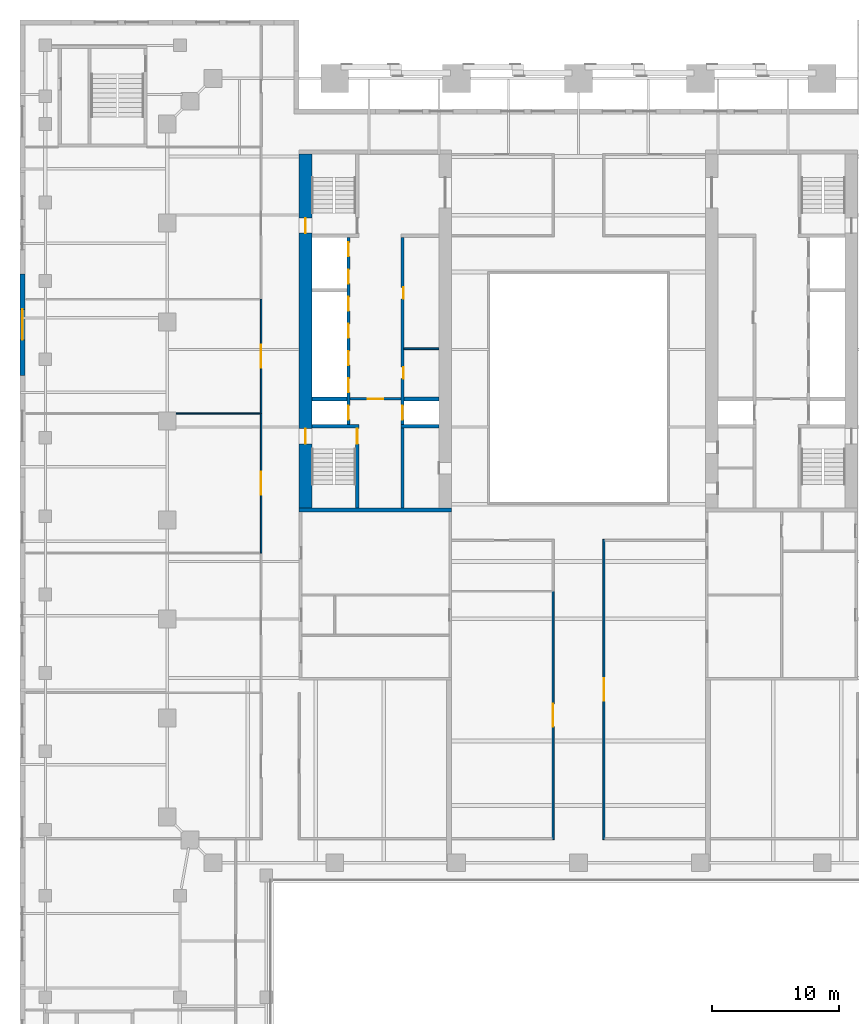
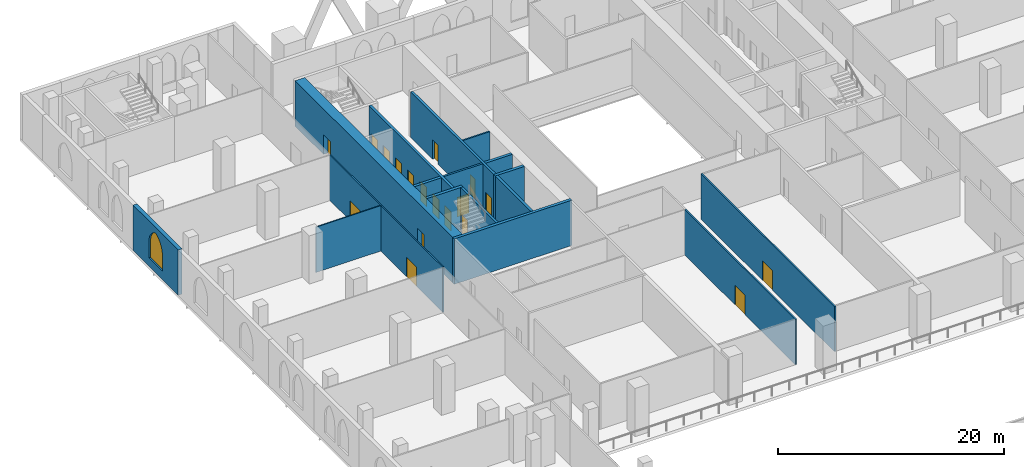
# One storey, part 11 of 22: 18 doors, 17 walls, 1 window, 19 openings.
"""IFC4 building model written with IfcOpenShell, lengths in metres."""

import ifcopenshell
import ifcopenshell.guid

model = None  # the IFC model being written
_history = None  # IfcOwnerHistory: only IFC2X3 demands one
_inside = {}  # id of a spatial element -> (the spatial element, [elements in it])
_under = {}  # id of a project, library or spatial element -> (it, [spatial elements below it])
_declared = {}  # id of a project -> (the project, [libraries it declares])
_typed = {}  # id of a type object -> (the type object, [elements of that type])
_made_of = {}  # id of a material, layer set ... -> (it, [elements and type objects made of it])


def new_model(schema):
    """Start an empty IFC model of exactly this schema.

    Asked for "IFC4X3", IfcOpenShell would pick the latest addendum, in which some entities
    have other attributes; the version numbers below select the first issue.
    IFC2X3 requires an IfcOwnerHistory on every rooted entity: one is made here for all.
    """
    global model, _history
    if schema == "IFC4X3":
        model = ifcopenshell.file(schema_version=(4, 3, 0, 0))
    else:
        model = ifcopenshell.file(schema=schema)
    _inside.clear()
    _under.clear()
    _declared.clear()
    _typed.clear()
    _made_of.clear()
    _history = None
    if model.schema == "IFC2X3":
        org = make("IfcOrganization", Name="unknown")
        user = make(
            "IfcPersonAndOrganization",
            ThePerson=make("IfcPerson", FamilyName="unknown"),
            TheOrganization=org,
        )
        app = make(
            "IfcApplication",
            ApplicationDeveloper=org,
            Version="unknown",
            ApplicationFullName="unknown",
            ApplicationIdentifier="unknown",
        )
        _history = make(
            "IfcOwnerHistory",
            OwningUser=user,
            OwningApplication=app,
            ChangeAction="ADDED",
            CreationDate=0,
        )
    return model


def make(cls, **values):
    """One entity of the class cls with the attributes given. An attribute that is None is left unset."""
    return model.create_entity(
        cls, **{name: value for name, value in values.items() if value is not None}
    )


def rooted(cls, **values):
    """An entity with a GlobalId (a new one), such as an element, a storey or a relation."""
    return make(cls, GlobalId=ifcopenshell.guid.new(), OwnerHistory=_history, **values)


def si_unit(unit_type, name, prefix=None):
    """IfcSIUnit, for example si_unit("LENGTHUNIT", "METRE", prefix="MILLI")."""
    return make("IfcSIUnit", UnitType=unit_type, Prefix=prefix, Name=name)


def assignment(units):
    """IfcUnitAssignment: the units of a project."""
    return None if units is None else make("IfcUnitAssignment", Units=units)


def point(xyz):
    """IfcCartesianPoint."""
    return None if xyz is None else make("IfcCartesianPoint", Coordinates=xyz)


def direction(xyz):
    """IfcDirection."""
    return None if xyz is None else make("IfcDirection", DirectionRatios=xyz)


def frame(location, z_axis=None, x_axis=None):
    """IfcAxis2Placement3D, a coordinate frame: its origin and axes. An axis left out is left unset."""
    return make(
        "IfcAxis2Placement3D",
        Location=point(location),
        Axis=direction(z_axis),
        RefDirection=direction(x_axis),
    )


def frame_2d(location, x_axis=None):
    """IfcAxis2Placement2D, a coordinate frame in the plane: its origin and x axis."""
    return make(
        "IfcAxis2Placement2D", Location=point(location), RefDirection=direction(x_axis)
    )


def origin():
    """The frame at (0, 0, 0) with its axes left unset."""
    return frame((0.0, 0.0, 0.0))


def place(relative_to, where):
    """IfcLocalPlacement: puts the frame where relative to a parent placement (None: the world)."""
    return make(
        "IfcLocalPlacement", PlacementRelTo=relative_to, RelativePlacement=where
    )


def context(
    kind, dimensions, precision=None, world=None, true_north=None, identifier=None
):
    """IfcGeometricRepresentationContext, for example the 3D "Model" context."""
    return make(
        "IfcGeometricRepresentationContext",
        ContextIdentifier=identifier,
        ContextType=kind,
        CoordinateSpaceDimension=dimensions,
        Precision=precision,
        WorldCoordinateSystem=world,
        TrueNorth=true_north,
    )


def subcontext(parent, identifier, kind, view, scale=None):
    """IfcGeometricRepresentationSubContext, for example "Body" below "Model"."""
    return make(
        "IfcGeometricRepresentationSubContext",
        ContextIdentifier=identifier,
        ContextType=kind,
        ParentContext=parent,
        TargetScale=scale,
        TargetView=view,
    )


def project(units=None, contexts=None):
    """IfcProject with its units and contexts."""
    return rooted(
        "IfcProject",
        Name="project",
        RepresentationContexts=contexts,
        UnitsInContext=assignment(units),
    )


def spatial(cls, under=None, at=None, **own):
    """A site, building, storey or space (cls), placed at a placement, below another one or the project."""
    s = rooted(cls, ObjectPlacement=at, **own)
    if under is not None:
        _under.setdefault(under.id(), (under, []))[1].append(s)
    return s


def polyline(points):
    """IfcPolyline through the points."""
    return make("IfcPolyline", Points=[point(p) for p in points])


def profile(cls, at=None, kind="AREA", **sizes):
    """A parametric profile (cls). Its sizes go by their IFC names, for example OverallWidth=200.0."""
    return make(cls, ProfileType=kind, Position=at, **sizes)


def rectangle(**sizes):
    """IfcRectangleProfileDef."""
    return profile("IfcRectangleProfileDef", **sizes)


def outline(outer, holes=None, kind="AREA"):
    """IfcArbitraryClosedProfileDef: a profile drawn as a closed curve; with holes, ...WithVoids."""
    if holes is None:
        return make("IfcArbitraryClosedProfileDef", ProfileType=kind, OuterCurve=outer)
    return make(
        "IfcArbitraryProfileDefWithVoids",
        ProfileType=kind,
        OuterCurve=outer,
        InnerCurves=holes,
    )


def extrude(swept, where, along, depth):
    """IfcExtrudedAreaSolid: the profile swept, set in the frame where, extruded along a direction by depth."""
    return make(
        "IfcExtrudedAreaSolid",
        SweptArea=swept,
        Position=where,
        ExtrudedDirection=direction(along),
        Depth=depth,
    )


def shape(context_of_items, identifier, shape_type, items):
    """IfcShapeRepresentation: the items that make up one representation, for example the "Body"."""
    return make(
        "IfcShapeRepresentation",
        ContextOfItems=context_of_items,
        RepresentationIdentifier=identifier,
        RepresentationType=shape_type,
        Items=items,
    )


def material(Name=None, Category=None):
    """IfcMaterial."""
    return make("IfcMaterial", Name=Name, Category=Category)


def layer(
    of_material, thickness, ventilated=None, Name=None, Category=None, Priority=None
):
    """IfcMaterialLayer: one layer of a wall or slab, of a material (None: an air gap)."""
    return make(
        "IfcMaterialLayer",
        Material=of_material,
        LayerThickness=thickness,
        IsVentilated=ventilated,
        Name=Name,
        Category=Category,
        Priority=Priority,
    )


def layer_set(layers, Name=None):
    """IfcMaterialLayerSet."""
    return make("IfcMaterialLayerSet", MaterialLayers=layers, LayerSetName=Name)


def made_of(thing, what):
    """Note that an element or type object is made of a material, layer set ...; save() writes the relation."""
    if what is not None:
        _made_of.setdefault(what.id(), (what, []))[1].append(thing)
    return thing


def type_object(cls, material=None, **own):
    """A type object (cls), such as IfcWallType, which elements share."""
    return made_of(rooted(cls, **own), material)


def element(
    cls,
    number,
    at=None,
    inside=None,
    cuts=None,
    type_object=None,
    material=None,
    context=None,
    identifier="Body",
    shape_type=None,
    held_by="IfcProductDefinitionShape",
    body=None,
    shapes=None,
    **own,
):
    """One element of the class cls, such as IfcWall. Its Tag is "e" and its number.

    at: its placement. inside: the storey or other place that contains it. cuts: it is an
    opening in that element (IfcRelVoidsElement). A single representation is given by context,
    identifier, shape_type and body (its items); several are given by shapes. held_by: the class
    of the entity that holds the representations. save() writes the other relations.
    """
    e = rooted(cls, Tag="e%d" % number, ObjectPlacement=at, **own)
    if body is not None:
        shapes = [shape(context, identifier, shape_type, body)]
    if shapes is not None:
        e.Representation = make(held_by, Representations=shapes)
    if inside is not None:
        _inside.setdefault(inside.id(), (inside, []))[1].append(e)
    if cuts is not None:
        rooted(
            "IfcRelVoidsElement", RelatingBuildingElement=cuts, RelatedOpeningElement=e
        )
    if type_object is not None:
        _typed.setdefault(type_object.id(), (type_object, []))[1].append(e)
    return made_of(e, material)


def fill(opening, filler):
    """IfcRelFillsElement: the door or window that sits in an opening."""
    return rooted(
        "IfcRelFillsElement",
        RelatingOpeningElement=opening,
        RelatedBuildingElement=filler,
    )


def aggregate(whole, parts):
    """IfcRelAggregates: a whole, such as a stair, and the parts it consists of."""
    return rooted("IfcRelAggregates", RelatingObject=whole, RelatedObjects=parts)


def save(model, path):
    """Write the relations noted so far, then the file.

    IfcRelAggregates (storeys below a building ...), IfcRelContainedInSpatialStructure (elements
    in a storey), IfcRelDefinesByType, IfcRelAssociatesMaterial and IfcRelDeclares: one each for
    every whole, place, type object, material and project.
    """
    for whole, parts in _under.values():
        aggregate(whole, parts)
    for where, things in _inside.values():
        rooted(
            "IfcRelContainedInSpatialStructure",
            RelatedElements=things,
            RelatingStructure=where,
        )
    for kind, things in _typed.values():
        rooted("IfcRelDefinesByType", RelatedObjects=things, RelatingType=kind)
    for what, things in _made_of.values():
        rooted("IfcRelAssociatesMaterial", RelatedObjects=things, RelatingMaterial=what)
    for by, libraries in _declared.values():
        rooted("IfcRelDeclares", RelatingContext=by, RelatedDefinitions=libraries)
    model.write(path)


model = new_model("IFC4")

# Units and contexts
model_context = context("Model", 3, precision=1e-05, world=origin(), true_north=direction((0.0, 1.0)))
body_context = subcontext(model_context, "Body", "Model", "MODEL_VIEW")
ifc_project = project(units=[si_unit("LENGTHUNIT", "METRE"), si_unit("AREAUNIT", "SQUARE_METRE"), si_unit("VOLUMEUNIT", "CUBIC_METRE"), si_unit("PLANEANGLEUNIT", "RADIAN"), si_unit("MASSUNIT", "GRAM", prefix="KILO")], contexts=[model_context])

# Site, building, storey
site_placement = place(None, origin())
site = spatial("IfcSite", under=ifc_project, at=site_placement, CompositionType="ELEMENT")
building_placement = place(site_placement, origin())
building = spatial("IfcBuilding", under=site, at=building_placement, Name="Ogive Exchange Tower", CompositionType="ELEMENT")
storey_placement = place(building_placement, frame((0.0, 0.0, 14.0)))
storey = spatial("IfcBuildingStorey", under=building, at=storey_placement, Name="L02", CompositionType="ELEMENT", Elevation=14.0)

# Wall
ifc_material_1 = material(Name="Gypsum board partition")
ifc_layer_1 = layer(ifc_material_1, 0.14990234375)
ifc_layer_set_1 = layer_set([ifc_layer_1], Name="Core room partition 150 gypsum")
wall_type_1 = type_object("IfcWallType", Name="Core room partition 150 gypsum", PredefinedType="PARTITIONING", material=ifc_layer_set_1)
wall_1_placement = place(storey_placement, frame((-13.75, 10.10009765625, 0.0), z_axis=(0.0, 0.0, 1.0), x_axis=(1.0, 0.0, 0.0)))
element("IfcWall", 1, at=wall_1_placement, inside=storey, type_object=wall_type_1, Name="W row B bay partition 1-1", PredefinedType="PARTITIONING", context=body_context, shape_type="SweptSolid", body=[
    extrude(rectangle(XDim=2.75, YDim=0.14990234375, at=frame_2d((1.375, 0.0))), origin(), (0.0, 0.0, 1.0), 4.89990234375),
])

# Wall, opening, door
ifc_material_2 = material(Name="Fire partition EI 60 150")
ifc_layer_2 = layer(ifc_material_2, 0.14990234375)
ifc_layer_set_2 = layer_set([ifc_layer_2], Name="Fire partition EI 60 150")
wall_type_2 = type_object("IfcWallType", Name="Fire partition EI 60 150", PredefinedType="PARTITIONING", material=ifc_layer_set_2)
wall_2_placement = place(storey_placement, frame((-2.0, -28.574951171875, 0.0), z_axis=(0.0, 0.0, 1.0), x_axis=(0.0, 1.0, 0.0)))
wall_2 = element("IfcWall", 2, at=wall_2_placement, inside=storey, type_object=wall_type_2, Name="L02-PWL-048", PredefinedType="PARTITIONING", context=body_context, shape_type="SweptSolid", body=[
    extrude(rectangle(XDim=19.574951171875, YDim=0.14990234375, at=frame_2d((9.78759765625, 0.0))), origin(), (0.0, 0.0, 1.0), 4.89990234375),
])
opening_1_placement = place(wall_2_placement, frame((8.887451171875, 0.0, 0.0)))
opening_1 = element("IfcOpeningElement", 3, at=opening_1_placement, cuts=wall_2, Name="Opening L02-I20", PredefinedType="OPENING", context=body_context, shape_type="SweptSolid", body=[
    extrude(rectangle(XDim=1.800048828125, YDim=2.10009765625, at=frame_2d((0.89990234375, 1.050048828125))), frame((0.0, 0.0849609375, 0.0), z_axis=(0.0, -1.0, 0.0), x_axis=(1.0, 0.0, 0.0)), (0.0, 0.0, 1.0), 0.169921875),
])
ifc_material_3 = material(Name="Fire door FD 30S 1800 x 2100")
door_type_1 = type_object("IfcDoorType", Name="Fire door FD 30S 1800 x 2100", OperationType="DOUBLE_DOOR_SINGLE_SWING", PredefinedType="DOOR", material=ifc_material_3)
door_1_placement = place(opening_1_placement, frame((1.800048828125, 0.0, 0.0), z_axis=(0.0, 0.0, 1.0), x_axis=(-1.0, 0.0, 0.0)))
door_1 = element("IfcDoor", 4, at=door_1_placement, inside=storey, type_object=door_type_1, Name="L02-IDR-020", ObjectType="DT4", OperationType="SINGLE_SWING_RIGHT", OverallHeight=2.10009765625, OverallWidth=1.800048828125, PredefinedType="DOOR", context=body_context, shape_type="SweptSolid", body=[
    extrude(rectangle(XDim=1.800048828125, YDim=2.10009765625, at=frame_2d((0.89990234375, 1.050048828125))), frame((0.0, 0.02490234375, 0.0), z_axis=(0.0, -1.0, 0.0), x_axis=(1.0, 0.0, 0.0)), (0.0, 0.0, 1.0), 0.050048828125),
])
fill(opening_1, door_1)

wall_3_placement = place(storey_placement, frame((2.0, -28.574951171875, 0.0), z_axis=(0.0, 0.0, 1.0), x_axis=(0.0, 1.0, 0.0)))
wall_3 = element("IfcWall", 5, at=wall_3_placement, inside=storey, type_object=wall_type_2, Name="L02-PWL-051", PredefinedType="PARTITIONING", context=body_context, shape_type="SweptSolid", body=[
    extrude(rectangle(XDim=23.64990234375, YDim=0.14990234375, at=frame_2d((11.824951171875, 0.0))), origin(), (0.0, 0.0, 1.0), 4.89990234375),
])
opening_2_placement = place(wall_3_placement, frame((10.925048828125, 0.0, 0.0)))
opening_2 = element("IfcOpeningElement", 6, at=opening_2_placement, cuts=wall_3, Name="Opening L02-I22", PredefinedType="OPENING", context=body_context, shape_type="SweptSolid", body=[
    extrude(rectangle(XDim=1.800048828125, YDim=2.10009765625, at=frame_2d((0.89990234375, 1.050048828125))), frame((0.0, 0.0849609375, 0.0), z_axis=(0.0, -1.0, 0.0), x_axis=(1.0, 0.0, 0.0)), (0.0, 0.0, 1.0), 0.169921875),
])
door_2_placement = place(opening_2_placement, origin())
door_2 = element("IfcDoor", 7, at=door_2_placement, inside=storey, type_object=door_type_1, Name="L02-IDR-022", ObjectType="DT4", OperationType="SINGLE_SWING_LEFT", OverallHeight=2.10009765625, OverallWidth=1.800048828125, PredefinedType="DOOR", context=body_context, shape_type="SweptSolid", body=[
    extrude(rectangle(XDim=1.800048828125, YDim=2.10009765625, at=frame_2d((0.89990234375, 1.050048828125))), frame((0.0, 0.02490234375, 0.0), z_axis=(0.0, -1.0, 0.0), x_axis=(1.0, 0.0, 0.0)), (0.0, 0.0, 1.0), 0.050048828125),
])
fill(opening_2, door_2)

ifc_material_4 = material(Name="Glazed fire partition EI 60 120")
ifc_layer_3 = layer(ifc_material_4, 0.1201171875)
ifc_layer_set_3 = layer_set([ifc_layer_3], Name="Glazed fire partition EI 60 120")
wall_type_3 = type_object("IfcWallType", Name="Glazed fire partition EI 60 120", PredefinedType="PARTITIONING", material=ifc_layer_set_3)
wall_4_placement = place(storey_placement, frame((-25.0, -6.0, 0.0), z_axis=(0.0, 0.0, 1.0), x_axis=(0.0, 1.0, 0.0)))
wall_4 = element("IfcWall", 8, at=wall_4_placement, inside=storey, type_object=wall_type_3, Name="L02-PWL-043", PredefinedType="PARTITIONING", context=body_context, shape_type="SweptSolid", body=[
    extrude(rectangle(XDim=11.0, YDim=0.1201171875, at=frame_2d((5.5, 0.0))), origin(), (0.0, 0.0, 1.0), 4.89990234375),
])
opening_3_placement = place(wall_4_placement, frame((4.60009765625, 0.0, 0.0)))
opening_3 = element("IfcOpeningElement", 9, at=opening_3_placement, cuts=wall_4, Name="Opening L02-I05", PredefinedType="OPENING", context=body_context, shape_type="SweptSolid", body=[
    extrude(rectangle(XDim=1.800048828125, YDim=2.10009765625, at=frame_2d((0.89990234375, 1.050048828125))), frame((0.0, 0.070068359375, 0.0), z_axis=(0.0, -1.0, 0.0), x_axis=(1.0, 0.0, 0.0)), (0.0, 0.0, 1.0), 0.14013671875),
])
door_3_placement = place(opening_3_placement, origin())
door_3 = element("IfcDoor", 10, at=door_3_placement, inside=storey, type_object=door_type_1, Name="L02-IDR-005", ObjectType="DT4", OperationType="SINGLE_SWING_RIGHT", OverallHeight=2.10009765625, OverallWidth=1.800048828125, PredefinedType="DOOR", context=body_context, shape_type="SweptSolid", body=[
    extrude(rectangle(XDim=1.800048828125, YDim=2.10009765625, at=frame_2d((0.89990234375, 1.050048828125))), frame((0.0, 0.02490234375, 0.0), z_axis=(0.0, -1.0, 0.0), x_axis=(1.0, 0.0, 0.0)), (0.0, 0.0, 1.0), 0.050048828125),
])
fill(opening_3, door_3)

wall_5_placement = place(storey_placement, frame((-25.0, 5.0, 0.0), z_axis=(0.0, 0.0, 1.0), x_axis=(0.0, 1.0, 0.0)))
wall_5 = element("IfcWall", 11, at=wall_5_placement, inside=storey, type_object=wall_type_3, Name="L02-PWL-044", PredefinedType="PARTITIONING", context=body_context, shape_type="SweptSolid", body=[
    extrude(rectangle(XDim=9.0, YDim=0.1201171875, at=frame_2d((4.5, 0.0))), origin(), (0.0, 0.0, 1.0), 4.89990234375),
])
opening_4_placement = place(wall_5_placement, frame((3.60009765625, 0.0, 0.0)))
opening_4 = element("IfcOpeningElement", 12, at=opening_4_placement, cuts=wall_5, Name="Opening L02-I06", PredefinedType="OPENING", context=body_context, shape_type="SweptSolid", body=[
    extrude(rectangle(XDim=1.800048828125, YDim=2.10009765625, at=frame_2d((0.89990234375, 1.050048828125))), frame((0.0, 0.070068359375, 0.0), z_axis=(0.0, -1.0, 0.0), x_axis=(1.0, 0.0, 0.0)), (0.0, 0.0, 1.0), 0.14013671875),
])
door_4_placement = place(opening_4_placement, origin())
door_4 = element("IfcDoor", 13, at=door_4_placement, inside=storey, type_object=door_type_1, Name="L02-IDR-006", ObjectType="DT4", OperationType="SINGLE_SWING_RIGHT", OverallHeight=2.10009765625, OverallWidth=1.800048828125, PredefinedType="DOOR", context=body_context, shape_type="SweptSolid", body=[
    extrude(rectangle(XDim=1.800048828125, YDim=2.10009765625, at=frame_2d((0.89990234375, 1.050048828125))), frame((0.0, 0.02490234375, 0.0), z_axis=(0.0, -1.0, 0.0), x_axis=(1.0, 0.0, 0.0)), (0.0, 0.0, 1.0), 0.050048828125),
])
fill(opening_4, door_4)

# Wall, opening, window
ifc_material_5 = material(Name="Precast concrete C40/50", Category="concrete")
ifc_layer_4 = layer(ifc_material_5, 0.39990234375)
ifc_layer_set_4 = layer_set([ifc_layer_4], Name="Limestone-faced wall 400")
wall_type_4 = type_object("IfcWallType", Name="Limestone-faced wall 400", PredefinedType="STANDARD", material=ifc_layer_set_4)
wall_6_placement = place(storey_placement, frame((-43.800048828125, 16.0, 0.0), z_axis=(0.0, 0.0, 1.0), x_axis=(0.0, -1.0, 0.0)))
wall_6 = element("IfcWall", 14, at=wall_6_placement, inside=storey, type_object=wall_type_4, Name="Podium wall W4", PredefinedType="STANDARD", context=body_context, shape_type="SweptSolid", body=[
    extrude(rectangle(XDim=8.0, YDim=0.39990234375, at=frame_2d((4.0, 0.0))), origin(), (0.0, 0.0, 1.0), 4.89990234375),
])
opening_5_placement = place(wall_6_placement, frame((2.800048828125, 0.0, 0.89990234375)))
opening_5 = element("IfcOpeningElement", 15, at=opening_5_placement, cuts=wall_6, Name="Opening WP340", PredefinedType="OPENING", context=body_context, shape_type="SweptSolid", body=[
    extrude(outline(polyline([(0.0, 0.0), (2.39990234375, 0.0), (2.39990234375, 1.699951171875), (2.378662109375, 1.97607421875), (2.3154296875, 2.24560546875), (2.211669921875, 2.50244140625), (2.069580078125, 2.740234375), (1.89306640625, 2.95361328125), (1.685791015625, 3.137451171875), (1.453125, 3.287353515625), (1.199951171875, 3.39990234375), (0.94677734375, 3.287353515625), (0.714111328125, 3.137451171875), (0.5068359375, 2.95361328125), (0.330322265625, 2.740234375), (0.188232421875, 2.50244140625), (0.08447265625, 2.24560546875), (0.021240234375, 1.97607421875), (0.0, 1.699951171875), (0.0, 0.0)])), frame((0.0, 0.2099609375, 0.0), z_axis=(0.0, -1.0, 0.0), x_axis=(1.0, 0.0, 0.0)), (0.0, 0.0, 1.0), 0.419921875),
])
ifc_material_6 = material(Name="Clear glass in bronze frame", Category="glass")
window_type = type_object("IfcWindowType", Name="Podium lancet window 2400 x 3400", PartitioningType="DOUBLE_PANEL_VERTICAL", PredefinedType="WINDOW", material=ifc_material_6)
window_placement = place(opening_5_placement, origin())
window = element("IfcWindow", 16, at=window_placement, inside=storey, type_object=window_type, Name="Podium window W4", OverallHeight=3.39990234375, OverallWidth=2.39990234375, PartitioningType="DOUBLE_PANEL_VERTICAL", PredefinedType="WINDOW", context=body_context, shape_type="SweptSolid", body=[
    extrude(outline(polyline([(0.0, 0.0), (2.39990234375, 0.0), (2.39990234375, 1.699951171875), (2.378662109375, 1.97607421875), (2.3154296875, 2.24560546875), (2.211669921875, 2.50244140625), (2.069580078125, 2.740234375), (1.89306640625, 2.95361328125), (1.685791015625, 3.137451171875), (1.453125, 3.287353515625), (1.199951171875, 3.39990234375), (0.94677734375, 3.287353515625), (0.714111328125, 3.137451171875), (0.5068359375, 2.95361328125), (0.330322265625, 2.740234375), (0.188232421875, 2.50244140625), (0.08447265625, 2.24560546875), (0.021240234375, 1.97607421875), (0.0, 1.699951171875), (0.0, 0.0)])), frame((0.0, 0.030029296875, 0.0), z_axis=(0.0, -1.0, 0.0), x_axis=(1.0, 0.0, 0.0)), (0.0, 0.0, 1.0), 0.06005859375),
])
fill(opening_5, window)

# Wall
ifc_material_7 = material(Name="Partition 100 gypsum")
ifc_layer_5 = layer(ifc_material_7, 0.10009765625)
ifc_layer_set_5 = layer_set([ifc_layer_5], Name="Partition 100 gypsum")
wall_type_5 = type_object("IfcWallType", Name="Partition 100 gypsum", PredefinedType="PARTITIONING", material=ifc_layer_set_5)
wall_7_placement = place(storey_placement, frame((-31.699951171875, 5.0, 0.0), z_axis=(0.0, 0.0, 1.0), x_axis=(1.0, 0.0, 0.0)))
element("IfcWall", 17, at=wall_7_placement, inside=storey, type_object=wall_type_5, Name="L02-PWL-025", PredefinedType="PARTITIONING", context=body_context, shape_type="SweptSolid", body=[
    extrude(rectangle(XDim=6.639892578125, YDim=0.10009765625, at=frame_2d((3.31982421875, 0.0))), origin(), (0.0, 0.0, 1.0), 4.89990234375),
])

# Wall, openings, doors
ifc_material_8 = material(Name="Concrete C70/85", Category="concrete")
ifc_layer_6 = layer(ifc_material_8, 1.0)
ifc_layer_set_6 = layer_set([ifc_layer_6], Name="RC core wall 1000 C70/85")
wall_type_6 = type_object("IfcWallType", Name="RC core wall 1000 C70/85", PredefinedType="SHEAR", material=ifc_layer_set_6)
wall_8_placement = place(storey_placement, frame((-21.5, -2.449951171875, 0.0), z_axis=(0.0, 0.0, 1.0), x_axis=(0.0, 1.0, 0.0)))
wall_8 = element("IfcWall", 18, at=wall_8_placement, inside=storey, type_object=wall_type_6, Name="W outer wall", PredefinedType="SHEAR", context=body_context, shape_type="SweptSolid", body=[
    extrude(rectangle(XDim=27.89990234375, YDim=1.0, at=frame_2d((13.949951171875, 0.0))), origin(), (0.0, 0.0, 1.0), 4.89990234375),
])
opening_6_placement = place(wall_8_placement, frame((5.050048828125, 0.0, 0.0)))
opening_6 = element("IfcOpeningElement", 19, at=opening_6_placement, cuts=wall_8, Name="Opening L02-C14", PredefinedType="OPENING", context=body_context, shape_type="SweptSolid", body=[
    extrude(rectangle(XDim=1.199951171875, YDim=2.10009765625, at=frame_2d((0.60009765625, 1.050048828125))), frame((0.0, 0.510009765625, 0.0), z_axis=(0.0, -1.0, 0.0), x_axis=(1.0, 0.0, 0.0)), (0.0, 0.0, 1.0), 1.02001953125),
])
opening_7_placement = place(wall_8_placement, frame((21.64990234375, 0.0, 0.0)))
opening_7 = element("IfcOpeningElement", 20, at=opening_7_placement, cuts=wall_8, Name="Opening L02-C16", PredefinedType="OPENING", context=body_context, shape_type="SweptSolid", body=[
    extrude(rectangle(XDim=1.199951171875, YDim=2.10009765625, at=frame_2d((0.60009765625, 1.050048828125))), frame((0.0, 0.510009765625, 0.0), z_axis=(0.0, -1.0, 0.0), x_axis=(1.0, 0.0, 0.0)), (0.0, 0.0, 1.0), 1.02001953125),
])
ifc_material_9 = material(Name="Steel fire door", Category="steel")
door_type_2 = type_object("IfcDoorType", Name="Stair door FD90 1200 x 2100", OperationType="NOTDEFINED", PredefinedType="DOOR", material=ifc_material_9)
door_5_placement = place(opening_6_placement, frame((1.199951171875, 0.0, 0.0), z_axis=(0.0, 0.0, 1.0), x_axis=(-1.0, 0.0, 0.0)))
door_5 = element("IfcDoor", 21, at=door_5_placement, inside=storey, type_object=door_type_2, Name="Stair door", ObjectType="CD5", OperationType="SINGLE_SWING_RIGHT", OverallHeight=2.10009765625, OverallWidth=1.199951171875, PredefinedType="DOOR", context=body_context, shape_type="SweptSolid", body=[
    extrude(rectangle(XDim=1.199951171875, YDim=2.10009765625, at=frame_2d((0.60009765625, 1.050048828125))), frame((0.0, 0.02490234375, 0.0), z_axis=(0.0, -1.0, 0.0), x_axis=(1.0, 0.0, 0.0)), (0.0, 0.0, 1.0), 0.050048828125),
])
fill(opening_6, door_5)
door_6_placement = place(opening_7_placement, frame((1.199951171875, 0.0, 0.0), z_axis=(0.0, 0.0, 1.0), x_axis=(-1.0, 0.0, 0.0)))
door_6 = element("IfcDoor", 22, at=door_6_placement, inside=storey, type_object=door_type_2, Name="Stair door", ObjectType="CD5", OperationType="SINGLE_SWING_LEFT", OverallHeight=2.10009765625, OverallWidth=1.199951171875, PredefinedType="DOOR", context=body_context, shape_type="SweptSolid", body=[
    extrude(rectangle(XDim=1.199951171875, YDim=2.10009765625, at=frame_2d((0.60009765625, 1.050048828125))), frame((0.0, 0.02490234375, 0.0), z_axis=(0.0, -1.0, 0.0), x_axis=(1.0, 0.0, 0.0)), (0.0, 0.0, 1.0), 0.050048828125),
])
fill(opening_7, door_6)

# Wall, opening, door
ifc_layer_7 = layer(ifc_material_8, 0.199951171875)
ifc_layer_set_7 = layer_set([ifc_layer_7], Name="RC core wall 200 C70/85")
wall_type_7 = type_object("IfcWallType", Name="RC core wall 200 C70/85", PredefinedType="SHEAR", material=ifc_layer_set_7)
wall_9_placement = place(storey_placement, frame((-18.0, 6.142822265625, 0.0), z_axis=(0.0, 0.0, 1.0), x_axis=(1.0, 0.0, 0.0)))
wall_9 = element("IfcWall", 23, at=wall_9_placement, inside=storey, type_object=wall_type_7, Name="W firefighting lobby wall", PredefinedType="SHEAR", context=body_context, shape_type="SweptSolid", body=[
    extrude(rectangle(XDim=4.0, YDim=0.199951171875, at=frame_2d((2.0, 0.0))), origin(), (0.0, 0.0, 1.0), 4.89990234375),
])
opening_8_placement = place(wall_9_placement, frame((1.39990234375, 0.0, 0.0)))
opening_8 = element("IfcOpeningElement", 24, at=opening_8_placement, cuts=wall_9, Name="Opening L02-C11", PredefinedType="OPENING", context=body_context, shape_type="SweptSolid", body=[
    extrude(rectangle(XDim=1.199951171875, YDim=2.10009765625, at=frame_2d((0.60009765625, 1.050048828125))), frame((0.0, 0.10986328125, 0.0), z_axis=(0.0, -1.0, 0.0), x_axis=(1.0, 0.0, 0.0)), (0.0, 0.0, 1.0), 0.219970703125),
])
door_type_3 = type_object("IfcDoorType", Name="Firefighting lobby door FD60 1200 x 2100", OperationType="NOTDEFINED", PredefinedType="DOOR", material=ifc_material_9)
door_7_placement = place(opening_8_placement, frame((1.199951171875, 0.0, 0.0), z_axis=(0.0, 0.0, 1.0), x_axis=(-1.0, 0.0, 0.0)))
door_7 = element("IfcDoor", 25, at=door_7_placement, inside=storey, type_object=door_type_3, Name="Firefighting lobby door", ObjectType="CD3", OperationType="SINGLE_SWING_LEFT", OverallHeight=2.10009765625, OverallWidth=1.199951171875, PredefinedType="DOOR", context=body_context, shape_type="SweptSolid", body=[
    extrude(rectangle(XDim=1.199951171875, YDim=2.10009765625, at=frame_2d((0.60009765625, 1.050048828125))), frame((0.0, 0.02490234375, 0.0), z_axis=(0.0, -1.0, 0.0), x_axis=(1.0, 0.0, 0.0)), (0.0, 0.0, 1.0), 0.050048828125),
])
fill(opening_8, door_7)

ifc_layer_8 = layer(ifc_material_8, 0.25)
ifc_layer_set_8 = layer_set([ifc_layer_8], Name="RC core wall 250 C70/85")
wall_type_8 = type_object("IfcWallType", Name="RC core wall 250 C70/85", PredefinedType="SHEAR", material=ifc_layer_set_8)
wall_10_placement = place(storey_placement, frame((-17.425048828125, -2.449951171875, 0.0), z_axis=(0.0, 0.0, 1.0), x_axis=(0.0, 1.0, 0.0)))
wall_10 = element("IfcWall", 26, at=wall_10_placement, inside=storey, type_object=wall_type_8, Name="W stair S front wall", PredefinedType="SHEAR", context=body_context, shape_type="SweptSolid", body=[
    extrude(rectangle(XDim=6.300048828125, YDim=0.25, at=frame_2d((3.14990234375, 0.0))), origin(), (0.0, 0.0, 1.0), 4.89990234375),
])
opening_9_placement = place(wall_10_placement, frame((5.050048828125, 0.0, 0.0)))
opening_9 = element("IfcOpeningElement", 27, at=opening_9_placement, cuts=wall_10, Name="Opening L02-C13", PredefinedType="OPENING", context=body_context, shape_type="SweptSolid", body=[
    extrude(rectangle(XDim=1.199951171875, YDim=2.10009765625, at=frame_2d((0.60009765625, 1.050048828125))), frame((0.0, 0.135009765625, 0.0), z_axis=(0.0, -1.0, 0.0), x_axis=(1.0, 0.0, 0.0)), (0.0, 0.0, 1.0), 0.27001953125),
])
door_8_placement = place(opening_9_placement, origin())
door_8 = element("IfcDoor", 28, at=door_8_placement, inside=storey, type_object=door_type_2, Name="Stair door", ObjectType="CD5", OperationType="SINGLE_SWING_LEFT", OverallHeight=2.10009765625, OverallWidth=1.199951171875, PredefinedType="DOOR", context=body_context, shape_type="SweptSolid", body=[
    extrude(rectangle(XDim=1.199951171875, YDim=2.10009765625, at=frame_2d((0.60009765625, 1.050048828125))), frame((0.0, 0.02490234375, 0.0), z_axis=(0.0, -1.0, 0.0), x_axis=(1.0, 0.0, 0.0)), (0.0, 0.0, 1.0), 0.050048828125),
])
fill(opening_9, door_8)

# Wall, openings, doors
wall_11_placement = place(storey_placement, frame((-18.125, 4.14990234375, 0.0), z_axis=(0.0, 0.0, 1.0), x_axis=(0.0, 1.0, 0.0)))
wall_11 = element("IfcWall", 29, at=wall_11_placement, inside=storey, type_object=wall_type_8, Name="W row A front wall", PredefinedType="SHEAR", context=body_context, shape_type="SweptSolid", body=[
    extrude(rectangle(XDim=14.7001953125, YDim=0.25, at=frame_2d((7.35009765625, 0.0))), origin(), (0.0, 0.0, 1.0), 4.89990234375),
])
opening_10_placement = place(wall_11_placement, frame((0.371337890625, 0.0, 0.0)))
opening_10 = element("IfcOpeningElement", 30, at=opening_10_placement, cuts=wall_11, Name="Opening L02-C01", PredefinedType="OPENING", context=body_context, shape_type="SweptSolid", body=[
    extrude(rectangle(XDim=1.10009765625, YDim=2.10009765625, at=frame_2d((0.550048828125, 1.050048828125))), frame((0.0, 0.135009765625, 0.0), z_axis=(0.0, -1.0, 0.0), x_axis=(1.0, 0.0, 0.0)), (0.0, 0.0, 1.0), 0.27001953125),
])
opening_11_placement = place(wall_11_placement, frame((2.514404296875, 0.0, 0.0)))
opening_11 = element("IfcOpeningElement", 31, at=opening_11_placement, cuts=wall_11, Name="Opening L02-C02", PredefinedType="OPENING", context=body_context, shape_type="SweptSolid", body=[
    extrude(rectangle(XDim=1.10009765625, YDim=2.10009765625, at=frame_2d((0.550048828125, 1.050048828125))), frame((0.0, 0.135009765625, 0.0), z_axis=(0.0, -1.0, 0.0), x_axis=(1.0, 0.0, 0.0)), (0.0, 0.0, 1.0), 0.27001953125),
])
opening_12_placement = place(wall_11_placement, frame((4.656982421875, 0.0, 0.0)))
opening_12 = element("IfcOpeningElement", 32, at=opening_12_placement, cuts=wall_11, Name="Opening L02-C03", PredefinedType="OPENING", context=body_context, shape_type="SweptSolid", body=[
    extrude(rectangle(XDim=1.10009765625, YDim=2.10009765625, at=frame_2d((0.550048828125, 1.050048828125))), frame((0.0, 0.135009765625, 0.0), z_axis=(0.0, -1.0, 0.0), x_axis=(1.0, 0.0, 0.0)), (0.0, 0.0, 1.0), 0.27001953125),
])
opening_13_placement = place(wall_11_placement, frame((6.800048828125, 0.0, 0.0)))
opening_13 = element("IfcOpeningElement", 33, at=opening_13_placement, cuts=wall_11, Name="Opening L02-C04", PredefinedType="OPENING", context=body_context, shape_type="SweptSolid", body=[
    extrude(rectangle(XDim=1.10009765625, YDim=2.10009765625, at=frame_2d((0.550048828125, 1.050048828125))), frame((0.0, 0.135009765625, 0.0), z_axis=(0.0, -1.0, 0.0), x_axis=(1.0, 0.0, 0.0)), (0.0, 0.0, 1.0), 0.27001953125),
])
opening_14_placement = place(wall_11_placement, frame((8.94287109375, 0.0, 0.0)))
opening_14 = element("IfcOpeningElement", 34, at=opening_14_placement, cuts=wall_11, Name="Opening L02-C05", PredefinedType="OPENING", context=body_context, shape_type="SweptSolid", body=[
    extrude(rectangle(XDim=1.10009765625, YDim=2.10009765625, at=frame_2d((0.550048828125, 1.050048828125))), frame((0.0, 0.135009765625, 0.0), z_axis=(0.0, -1.0, 0.0), x_axis=(1.0, 0.0, 0.0)), (0.0, 0.0, 1.0), 0.27001953125),
])
opening_15_placement = place(wall_11_placement, frame((11.085693359375, 0.0, 0.0)))
opening_15 = element("IfcOpeningElement", 35, at=opening_15_placement, cuts=wall_11, Name="Opening L02-C06", PredefinedType="OPENING", context=body_context, shape_type="SweptSolid", body=[
    extrude(rectangle(XDim=1.10009765625, YDim=2.10009765625, at=frame_2d((0.550048828125, 1.050048828125))), frame((0.0, 0.135009765625, 0.0), z_axis=(0.0, -1.0, 0.0), x_axis=(1.0, 0.0, 0.0)), (0.0, 0.0, 1.0), 0.27001953125),
])
opening_16_placement = place(wall_11_placement, frame((13.228515625, 0.0, 0.0)))
opening_16 = element("IfcOpeningElement", 36, at=opening_16_placement, cuts=wall_11, Name="Opening L02-C07", PredefinedType="OPENING", context=body_context, shape_type="SweptSolid", body=[
    extrude(rectangle(XDim=1.10009765625, YDim=2.10009765625, at=frame_2d((0.550048828125, 1.050048828125))), frame((0.0, 0.135009765625, 0.0), z_axis=(0.0, -1.0, 0.0), x_axis=(1.0, 0.0, 0.0)), (0.0, 0.0, 1.0), 0.27001953125),
])
ifc_material_10 = material(Name="Stainless steel", Category="steel")
door_type_4 = type_object("IfcDoorType", Name="Lift landing door FD90 1100 x 2100", OperationType="SLIDING_TO_LEFT", PredefinedType="DOOR", material=ifc_material_10)
door_9_placement = place(opening_10_placement, origin())
door_9 = element("IfcDoor", 37, at=door_9_placement, inside=storey, type_object=door_type_4, Name="Lift landing door FF1", ObjectType="LD", OperationType="SLIDING_TO_LEFT", OverallHeight=2.10009765625, OverallWidth=1.10009765625, PredefinedType="DOOR", context=body_context, shape_type="SweptSolid", body=[
    extrude(rectangle(XDim=1.10009765625, YDim=2.10009765625, at=frame_2d((0.550048828125, 1.050048828125))), frame((0.0, 0.02490234375, 0.0), z_axis=(0.0, -1.0, 0.0), x_axis=(1.0, 0.0, 0.0)), (0.0, 0.0, 1.0), 0.050048828125),
])
fill(opening_10, door_9)
door_10_placement = place(opening_11_placement, origin())
door_10 = element("IfcDoor", 38, at=door_10_placement, inside=storey, type_object=door_type_4, Name="Lift landing door W-L1", ObjectType="LD", OperationType="SLIDING_TO_LEFT", OverallHeight=2.10009765625, OverallWidth=1.10009765625, PredefinedType="DOOR", context=body_context, shape_type="SweptSolid", body=[
    extrude(rectangle(XDim=1.10009765625, YDim=2.10009765625, at=frame_2d((0.550048828125, 1.050048828125))), frame((0.0, 0.02490234375, 0.0), z_axis=(0.0, -1.0, 0.0), x_axis=(1.0, 0.0, 0.0)), (0.0, 0.0, 1.0), 0.050048828125),
])
fill(opening_11, door_10)
door_11_placement = place(opening_12_placement, origin())
door_11 = element("IfcDoor", 39, at=door_11_placement, inside=storey, type_object=door_type_4, Name="Lift landing door W-L2", ObjectType="LD", OperationType="SLIDING_TO_LEFT", OverallHeight=2.10009765625, OverallWidth=1.10009765625, PredefinedType="DOOR", context=body_context, shape_type="SweptSolid", body=[
    extrude(rectangle(XDim=1.10009765625, YDim=2.10009765625, at=frame_2d((0.550048828125, 1.050048828125))), frame((0.0, 0.02490234375, 0.0), z_axis=(0.0, -1.0, 0.0), x_axis=(1.0, 0.0, 0.0)), (0.0, 0.0, 1.0), 0.050048828125),
])
fill(opening_12, door_11)
door_12_placement = place(opening_13_placement, origin())
door_12 = element("IfcDoor", 40, at=door_12_placement, inside=storey, type_object=door_type_4, Name="Lift landing door W-L3", ObjectType="LD", OperationType="SLIDING_TO_LEFT", OverallHeight=2.10009765625, OverallWidth=1.10009765625, PredefinedType="DOOR", context=body_context, shape_type="SweptSolid", body=[
    extrude(rectangle(XDim=1.10009765625, YDim=2.10009765625, at=frame_2d((0.550048828125, 1.050048828125))), frame((0.0, 0.02490234375, 0.0), z_axis=(0.0, -1.0, 0.0), x_axis=(1.0, 0.0, 0.0)), (0.0, 0.0, 1.0), 0.050048828125),
])
fill(opening_13, door_12)
door_13_placement = place(opening_14_placement, origin())
door_13 = element("IfcDoor", 41, at=door_13_placement, inside=storey, type_object=door_type_4, Name="Lift landing door W-L4", ObjectType="LD", OperationType="SLIDING_TO_LEFT", OverallHeight=2.10009765625, OverallWidth=1.10009765625, PredefinedType="DOOR", context=body_context, shape_type="SweptSolid", body=[
    extrude(rectangle(XDim=1.10009765625, YDim=2.10009765625, at=frame_2d((0.550048828125, 1.050048828125))), frame((0.0, 0.02490234375, 0.0), z_axis=(0.0, -1.0, 0.0), x_axis=(1.0, 0.0, 0.0)), (0.0, 0.0, 1.0), 0.050048828125),
])
fill(opening_14, door_13)
door_14_placement = place(opening_15_placement, origin())
door_14 = element("IfcDoor", 42, at=door_14_placement, inside=storey, type_object=door_type_4, Name="Lift landing door W-SH1", ObjectType="LD", OperationType="SLIDING_TO_LEFT", OverallHeight=2.10009765625, OverallWidth=1.10009765625, PredefinedType="DOOR", context=body_context, shape_type="SweptSolid", body=[
    extrude(rectangle(XDim=1.10009765625, YDim=2.10009765625, at=frame_2d((0.550048828125, 1.050048828125))), frame((0.0, 0.02490234375, 0.0), z_axis=(0.0, -1.0, 0.0), x_axis=(1.0, 0.0, 0.0)), (0.0, 0.0, 1.0), 0.050048828125),
])
fill(opening_15, door_14)
door_15_placement = place(opening_16_placement, origin())
door_15 = element("IfcDoor", 43, at=door_15_placement, inside=storey, type_object=door_type_4, Name="Lift landing door W-SH2", ObjectType="LD", OperationType="SLIDING_TO_LEFT", OverallHeight=2.10009765625, OverallWidth=1.10009765625, PredefinedType="DOOR", context=body_context, shape_type="SweptSolid", body=[
    extrude(rectangle(XDim=1.10009765625, YDim=2.10009765625, at=frame_2d((0.550048828125, 1.050048828125))), frame((0.0, 0.02490234375, 0.0), z_axis=(0.0, -1.0, 0.0), x_axis=(1.0, 0.0, 0.0)), (0.0, 0.0, 1.0), 0.050048828125),
])
fill(opening_16, door_15)

wall_12_placement = place(storey_placement, frame((-13.875, -2.449951171875, 0.0), z_axis=(0.0, 0.0, 1.0), x_axis=(0.0, 1.0, 0.0)))
wall_12 = element("IfcWall", 44, at=wall_12_placement, inside=storey, type_object=wall_type_8, Name="W row B front wall", PredefinedType="SHEAR", context=body_context, shape_type="SweptSolid", body=[
    extrude(rectangle(XDim=21.300048828125, YDim=0.25, at=frame_2d((10.64990234375, 0.0))), origin(), (0.0, 0.0, 1.0), 4.89990234375),
])
opening_17_placement = place(wall_12_placement, frame((10.1962890625, 0.0, 0.0)))
opening_17 = element("IfcOpeningElement", 45, at=opening_17_placement, cuts=wall_12, Name="Opening L02-C08", PredefinedType="OPENING", context=body_context, shape_type="SweptSolid", body=[
    extrude(rectangle(XDim=0.89990234375, YDim=2.10009765625, at=frame_2d((0.449951171875, 1.050048828125))), frame((0.0, 0.135009765625, 0.0), z_axis=(0.0, -1.0, 0.0), x_axis=(1.0, 0.0, 0.0)), (0.0, 0.0, 1.0), 0.27001953125),
])
opening_18_placement = place(wall_12_placement, frame((16.47509765625, 0.0, 0.0)))
opening_18 = element("IfcOpeningElement", 46, at=opening_18_placement, cuts=wall_12, Name="Opening L02-C09", PredefinedType="OPENING", context=body_context, shape_type="SweptSolid", body=[
    extrude(rectangle(XDim=0.89990234375, YDim=2.10009765625, at=frame_2d((0.449951171875, 1.050048828125))), frame((0.0, 0.135009765625, 0.0), z_axis=(0.0, -1.0, 0.0), x_axis=(1.0, 0.0, 0.0)), (0.0, 0.0, 1.0), 0.27001953125),
])
opening_19_placement = place(wall_12_placement, frame((6.971435546875, 0.0, 0.0)))
opening_19 = element("IfcOpeningElement", 47, at=opening_19_placement, cuts=wall_12, Name="Opening L02-C10", PredefinedType="OPENING", context=body_context, shape_type="SweptSolid", body=[
    extrude(rectangle(XDim=1.10009765625, YDim=2.10009765625, at=frame_2d((0.550048828125, 1.050048828125))), frame((0.0, 0.135009765625, 0.0), z_axis=(0.0, -1.0, 0.0), x_axis=(1.0, 0.0, 0.0)), (0.0, 0.0, 1.0), 0.27001953125),
])
ifc_material_11 = material(Name="Timber fire door", Category="wood")
door_type_5 = type_object("IfcDoorType", Name="Core room door FD30S 900 x 2100", OperationType="NOTDEFINED", PredefinedType="DOOR", material=ifc_material_11)
door_16_placement = place(opening_18_placement, frame((0.89990234375, -0.2001953125, 0.0), z_axis=(0.0, 0.0, 1.0), x_axis=(-1.0, 0.0, 0.0)))
door_16 = element("IfcDoor", 48, at=door_16_placement, inside=storey, type_object=door_type_5, Name="Core room door", ObjectType="CD6", OperationType="SINGLE_SWING_RIGHT", OverallHeight=2.10009765625, OverallWidth=0.89990234375, PredefinedType="DOOR", context=body_context, shape_type="SweptSolid", body=[
    extrude(rectangle(XDim=0.89990234375, YDim=2.10009765625, at=frame_2d((0.449951171875, 1.050048828125))), frame((0.0, -0.0751953125, 0.0), z_axis=(0.0, -1.0, 0.0), x_axis=(1.0, 0.0, 0.0)), (0.0, 0.0, 1.0), 0.050048828125),
])
fill(opening_18, door_16)
door_17_placement = place(opening_19_placement, origin())
door_17 = element("IfcDoor", 49, at=door_17_placement, inside=storey, type_object=door_type_4, Name="Lift landing door SV1", ObjectType="LD", OperationType="SLIDING_TO_LEFT", OverallHeight=2.10009765625, OverallWidth=1.10009765625, PredefinedType="DOOR", context=body_context, shape_type="SweptSolid", body=[
    extrude(rectangle(XDim=1.10009765625, YDim=2.10009765625, at=frame_2d((0.550048828125, 1.050048828125))), frame((0.0, 0.02490234375, 0.0), z_axis=(0.0, -1.0, 0.0), x_axis=(1.0, 0.0, 0.0)), (0.0, 0.0, 1.0), 0.050048828125),
])
fill(opening_19, door_17)
door_type_6 = type_object("IfcDoorType", Name="Riser door FD60 900 x 2100", OperationType="NOTDEFINED", PredefinedType="DOOR", material=ifc_material_9)
door_18_placement = place(opening_17_placement, frame((0.89990234375, -0.2001953125, 0.0), z_axis=(0.0, 0.0, 1.0), x_axis=(-1.0, 0.0, 0.0)))
door_18 = element("IfcDoor", 50, at=door_18_placement, inside=storey, type_object=door_type_6, Name="Riser door", ObjectType="CD2", OperationType="SINGLE_SWING_RIGHT", OverallHeight=2.10009765625, OverallWidth=0.89990234375, PredefinedType="DOOR", context=body_context, shape_type="SweptSolid", body=[
    extrude(rectangle(XDim=0.89990234375, YDim=2.10009765625, at=frame_2d((0.449951171875, 1.050048828125))), frame((0.0, -0.0751953125, 0.0), z_axis=(0.0, -1.0, 0.0), x_axis=(1.0, 0.0, 0.0)), (0.0, 0.0, 1.0), 0.050048828125),
])
fill(opening_17, door_18)

# Walls
ifc_layer_9 = layer(ifc_material_8, 0.300048828125)
ifc_layer_set_9 = layer_set([ifc_layer_9], Name="RC core wall 300 C70/85")
wall_type_9 = type_object("IfcWallType", Name="RC core wall 300 C70/85", PredefinedType="SHEAR", material=ifc_layer_set_9)
wall_13_placement = place(storey_placement, frame((-22.0, -2.60009765625, 0.0), z_axis=(0.0, 0.0, 1.0), x_axis=(1.0, 0.0, 0.0)))
element("IfcWall", 51, at=wall_13_placement, inside=storey, type_object=wall_type_9, Name="W south end wall", PredefinedType="SHEAR", context=body_context, shape_type="SweptSolid", body=[
    extrude(rectangle(XDim=12.0, YDim=0.300048828125, at=frame_2d((6.0, 0.0))), origin(), (0.0, 0.0, 1.0), 4.89990234375),
])
wall_14_placement = place(storey_placement, frame((-21.0, 4.0, 0.0), z_axis=(0.0, 0.0, 1.0), x_axis=(1.0, 0.0, 0.0)))
element("IfcWall", 52, at=wall_14_placement, inside=storey, type_object=wall_type_9, Name="W stair S north wall", PredefinedType="SHEAR", context=body_context, shape_type="SweptSolid", body=[
    extrude(rectangle(XDim=3.699951171875, YDim=0.300048828125, at=frame_2d((1.85009765625, 0.0))), origin(), (0.0, 0.0, 1.0), 4.89990234375),
])
wall_15_placement = place(storey_placement, frame((-21.0, 6.142822265625, 0.0), z_axis=(0.0, 0.0, 1.0), x_axis=(1.0, 0.0, 0.0)))
element("IfcWall", 53, at=wall_15_placement, inside=storey, type_object=wall_type_9, Name="W row A divider 1", PredefinedType="SHEAR", context=body_context, shape_type="SweptSolid", body=[
    extrude(rectangle(XDim=2.75, YDim=0.300048828125, at=frame_2d((1.375, 0.0))), origin(), (0.0, 0.0, 1.0), 4.89990234375),
])
wall_16_placement = place(storey_placement, frame((-14.0, 4.0, 0.0), z_axis=(0.0, 0.0, 1.0), x_axis=(1.0, 0.0, 0.0)))
element("IfcWall", 54, at=wall_16_placement, inside=storey, type_object=wall_type_9, Name="W row B divider 0", PredefinedType="SHEAR", context=body_context, shape_type="SweptSolid", body=[
    extrude(rectangle(XDim=3.0, YDim=0.300048828125, at=frame_2d((1.5, 0.0))), origin(), (0.0, 0.0, 1.0), 4.89990234375),
])
wall_17_placement = place(storey_placement, frame((-13.75, 6.142822265625, 0.0), z_axis=(0.0, 0.0, 1.0), x_axis=(1.0, 0.0, 0.0)))
element("IfcWall", 55, at=wall_17_placement, inside=storey, type_object=wall_type_9, Name="W row B divider 1", PredefinedType="SHEAR", context=body_context, shape_type="SweptSolid", body=[
    extrude(rectangle(XDim=2.75, YDim=0.300048828125, at=frame_2d((1.375, 0.0))), origin(), (0.0, 0.0, 1.0), 4.89990234375),
])

save(model, "model.ifc")
